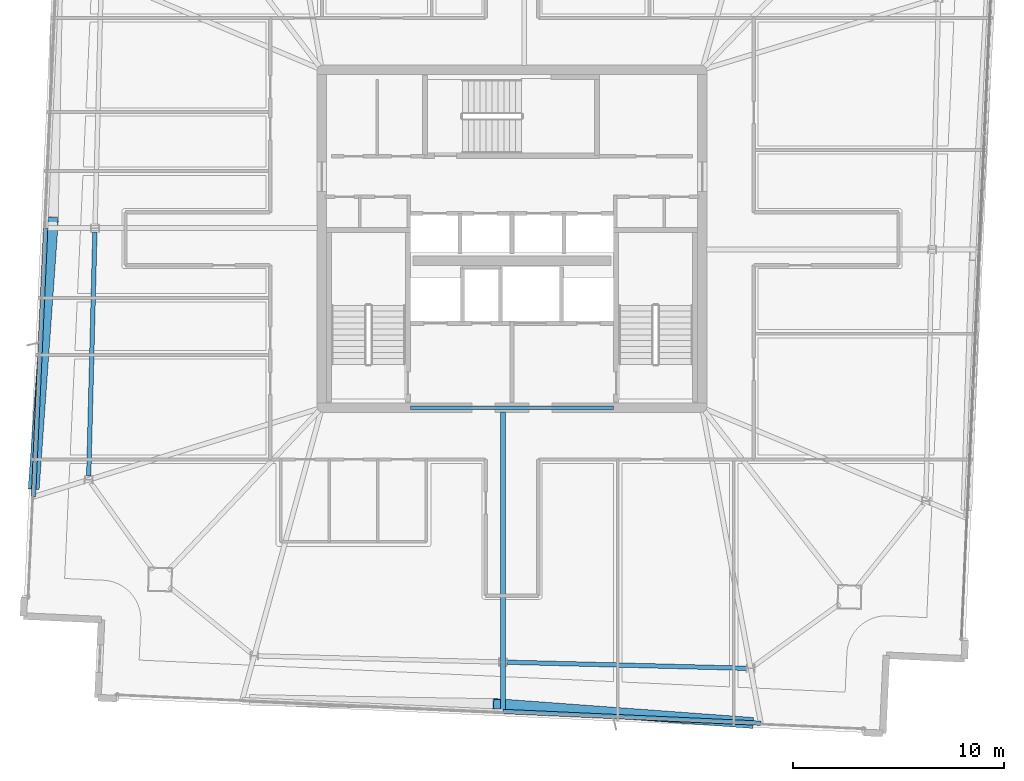
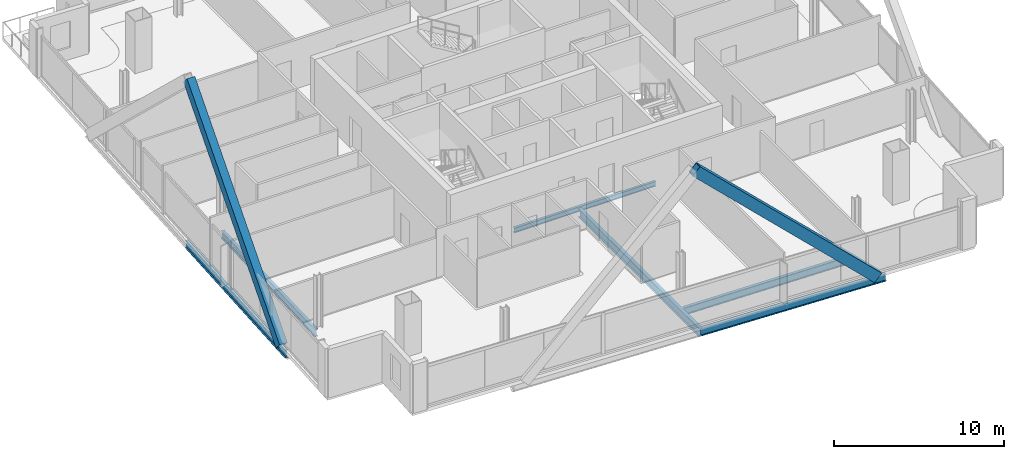
# One storey, part 5 of 26: 6 beams, 2 members.
"""IFC4 building model written with IfcOpenShell, lengths in metres."""

from ifc_helpers import new_model, si_unit, direction, frame, origin, origin_2d, place, context, subcontext, project, spatial, hollow_rectangle, i_section, extrude, material, material_profile, profile_set, type_object, element, save


model = new_model("IFC4")

# Units and contexts
model_context = context("Model", 3, precision=1e-05, world=origin(), true_north=direction((0.0, 1.0)))
body_context = subcontext(model_context, "Body", "Model", "MODEL_VIEW")
ifc_project = project(units=[si_unit("LENGTHUNIT", "METRE"), si_unit("AREAUNIT", "SQUARE_METRE"), si_unit("VOLUMEUNIT", "CUBIC_METRE"), si_unit("PLANEANGLEUNIT", "RADIAN"), si_unit("MASSUNIT", "GRAM", prefix="KILO")], contexts=[model_context])

# Site, building, storey
site_placement = place(None, origin())
site = spatial("IfcSite", under=ifc_project, at=site_placement, CompositionType="ELEMENT")
building_placement = place(site_placement, origin())
building = spatial("IfcBuilding", under=site, at=building_placement, Name="Haldenkirk Collegiate Tower", CompositionType="ELEMENT")
storey_placement = place(building_placement, frame((0.0, 0.0, 321.449951171875)))
storey = spatial("IfcBuildingStorey", under=building, at=storey_placement, Name="L81", CompositionType="ELEMENT", Elevation=321.449951171875)

# Beams
ifc_material_1 = material(Name="Steel ASTM A992 Grade 50", Category="steel")
ifc_material_profile_1 = material_profile(ifc_material_1, i_section(OverallWidth=0.22998046875, OverallDepth=0.616943359375, WebThickness=0.01318359375, FlangeThickness=0.022216796875, at=origin_2d()), Name="W24X94")
ifc_profile_set_1 = profile_set([ifc_material_profile_1], Name="Steel ASTM A992 Grade 50")
beam_type_1 = type_object("IfcBeamType", Name="BM-GIRDER-W24X94", PredefinedType="BEAM", material=ifc_profile_set_1)
beam_1_placement = place(storey_placement, frame((35.567626953125, 3.61669921875, -0.568359375), z_axis=(0.0, 1.0, 0.0), x_axis=(-1.0, 0.0, 0.0)))
element("IfcBeam", 1, at=beam_1_placement, inside=storey, type_object=beam_type_1, Name="L81 primary floor girder 15", PredefinedType="BEAM", context=body_context, shape_type="SweptSolid", body=[
    extrude(i_section(OverallWidth=0.22998046875, OverallDepth=0.616943359375, WebThickness=0.01318359375, FlangeThickness=0.022216796875, at=origin_2d()), origin(), (0.0, 0.0, 1.0), 14.17822265625),
])
ifc_material_profile_2 = material_profile(ifc_material_1, i_section(OverallWidth=0.1708984375, OverallDepth=0.35595703125, WebThickness=0.007080078125, FlangeThickness=0.01171875, at=origin_2d()), Name="W14X34")
ifc_profile_set_2 = profile_set([ifc_material_profile_2], Name="Steel ASTM A992 Grade 50")
beam_type_2 = type_object("IfcBeamType", Name="BM-LINTEL-W14X34", PredefinedType="LINTEL", material=ifc_profile_set_2)
beam_2_placement = place(storey_placement, frame((31.199951171875, 18.0, -0.43798828125), z_axis=(1.0, 0.0, 0.0), x_axis=(0.0, 1.0, 0.0)))
element("IfcBeam", 2, at=beam_2_placement, inside=storey, type_object=beam_type_2, Name="L81 south core coupling lintel", PredefinedType="LINTEL", context=body_context, shape_type="SweptSolid", body=[
    extrude(i_section(OverallWidth=0.1708984375, OverallDepth=0.35595703125, WebThickness=0.007080078125, FlangeThickness=0.01171875, at=origin_2d()), origin(), (0.0, 0.0, 1.0), 9.60009765625),
])
ifc_material_profile_3 = material_profile(ifc_material_1, i_section(OverallWidth=0.2099609375, OverallDepth=0.537109375, WebThickness=0.010986328125, FlangeThickness=0.017333984375, at=origin_2d()), Name="W21X68")
ifc_profile_set_3 = profile_set([ifc_material_profile_3], Name="Steel ASTM A992 Grade 50")
beam_type_3 = type_object("IfcBeamType", Name="BM-SPANDREL-W21X68", PredefinedType="SPANDREL", material=ifc_profile_set_3)
beam_3_placement = place(storey_placement, frame((16.25146484375, 26.31201171875, -0.528564453125), z_axis=(-0.02528078186, -0.999680389959, 0.0), x_axis=(0.999680389959, -0.02528078186, 0.0)))
element("IfcBeam", 3, at=beam_3_placement, inside=storey, type_object=beam_type_3, Name="L81 perimeter spandrel beam 11", PredefinedType="SPANDREL", context=body_context, shape_type="SweptSolid", body=[
    extrude(i_section(OverallWidth=0.2099609375, OverallDepth=0.537109375, WebThickness=0.010986328125, FlangeThickness=0.017333984375, at=origin_2d()), origin(), (0.0, 0.0, 1.0), 11.540283203125),
])
beam_4_placement = place(storey_placement, frame((35.755615234375, 5.94970703125, -0.528564453125), z_axis=(0.999679850822, -0.025302092003, 0.0), x_axis=(0.025302092003, 0.999679850822, 0.0)))
element("IfcBeam", 4, at=beam_4_placement, inside=storey, type_object=beam_type_3, Name="L81 perimeter spandrel beam 15", PredefinedType="SPANDREL", context=body_context, shape_type="SweptSolid", body=[
    extrude(i_section(OverallWidth=0.2099609375, OverallDepth=0.537109375, WebThickness=0.010986328125, FlangeThickness=0.017333984375, at=origin_2d()), origin(), (0.0, 0.0, 1.0), 11.35693359375),
])
beam_5_placement = place(storey_placement, frame((13.919921875, 26.499755859375, -0.528564453125), z_axis=(-0.045367650719, -0.998970358053, 0.0), x_axis=(0.998970358053, -0.045367650719, 0.0)))
element("IfcBeam", 5, at=beam_5_placement, inside=storey, type_object=beam_type_3, Name="L81 outer facade edge beam 3B", PredefinedType="SPANDREL", context=body_context, shape_type="SweptSolid", body=[
    extrude(i_section(OverallWidth=0.2099609375, OverallDepth=0.537109375, WebThickness=0.010986328125, FlangeThickness=0.017333984375, at=origin_2d()), origin(), (0.0, 0.0, 1.0), 12.732421875),
])
beam_6_placement = place(storey_placement, frame((35.567626953125, 3.61669921875, -0.528564453125), z_axis=(0.99897006321, -0.045374142532, 0.0), x_axis=(0.045374142532, 0.99897006321, 0.0)))
element("IfcBeam", 6, at=beam_6_placement, inside=storey, type_object=beam_type_3, Name="L81 outer facade edge beam 4B", PredefinedType="SPANDREL", context=body_context, shape_type="SweptSolid", body=[
    extrude(i_section(OverallWidth=0.2099609375, OverallDepth=0.537109375, WebThickness=0.010986328125, FlangeThickness=0.017333984375, at=origin_2d()), origin(), (0.0, 0.0, 1.0), 12.224853515625),
])

# Members
ifc_material_2 = material(Name="Steel ASTM A572 Grade 50", Category="steel")
ifc_material_profile_4 = material_profile(ifc_material_2, hollow_rectangle(XDim=0.52001953125, YDim=0.719970703125, WallThickness=0.035888671875, at=origin_2d()), Name="BOX720X520X36")
ifc_profile_set_4 = profile_set([ifc_material_profile_4], Name="Steel ASTM A572 Grade 50")
member_type = type_object("IfcMemberType", Name="MBR-MEGABRACE-BOX720X520X36", PredefinedType="BRACE", material=ifc_profile_set_4)
member_1_placement = place(storey_placement, frame((13.36962890625, 14.3798828125, -0.27001953125), z_axis=(0.052828566157, 0.739920099322, 0.670617170386), x_axis=(-0.997460890295, 0.071216376849, 0.0)))
element("IfcMember", 7, at=member_1_placement, inside=storey, type_object=member_type, Name="Perimeter Mega Brace Z6 L81-L83 NR", PredefinedType="BRACE", context=body_context, shape_type="SweptSolid", body=[
    extrude(hollow_rectangle(XDim=0.52001953125, YDim=0.719970703125, WallThickness=0.035888671875, at=origin_2d()), origin(), (0.0, 0.0, 1.0), 16.775634765625),
])
member_2_placement = place(storey_placement, frame((47.180419921875, 3.089111328125, -0.27001953125), z_axis=(-0.723625636028, 0.053148911149, 0.688143249714), x_axis=(-0.073250762344, -0.997313554413, 0.0)))
element("IfcMember", 8, at=member_2_placement, inside=storey, type_object=member_type, Name="Perimeter Mega Brace Z6 L81-L83 WR", PredefinedType="BRACE", context=body_context, shape_type="SweptSolid", body=[
    extrude(hollow_rectangle(XDim=0.52001953125, YDim=0.719970703125, WallThickness=0.035888671875, at=origin_2d()), origin(), (0.0, 0.0, 1.0), 16.348388671875),
])

save(model, "model.ifc")
